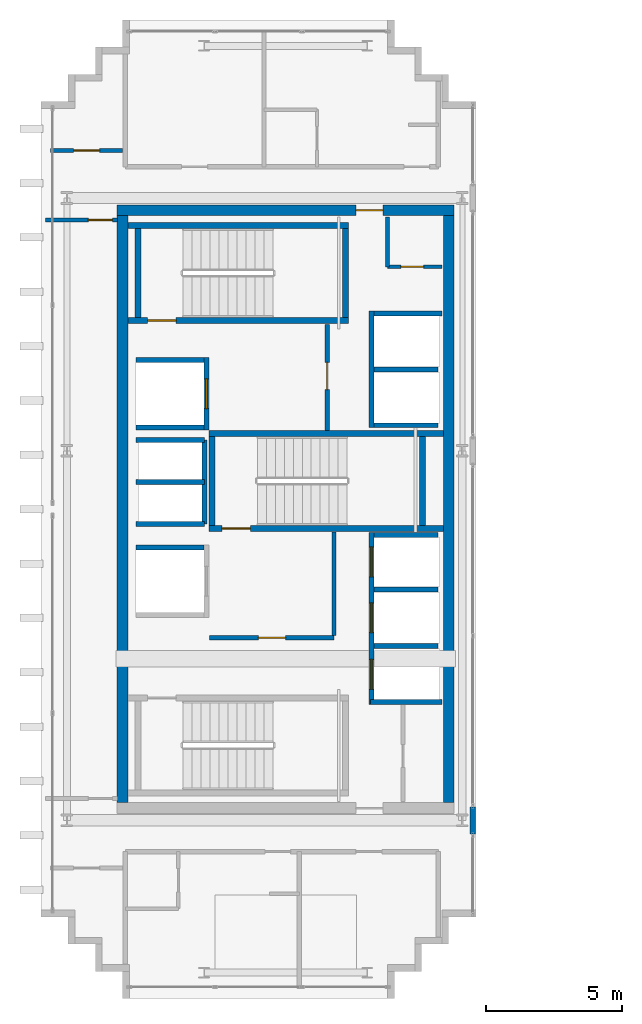
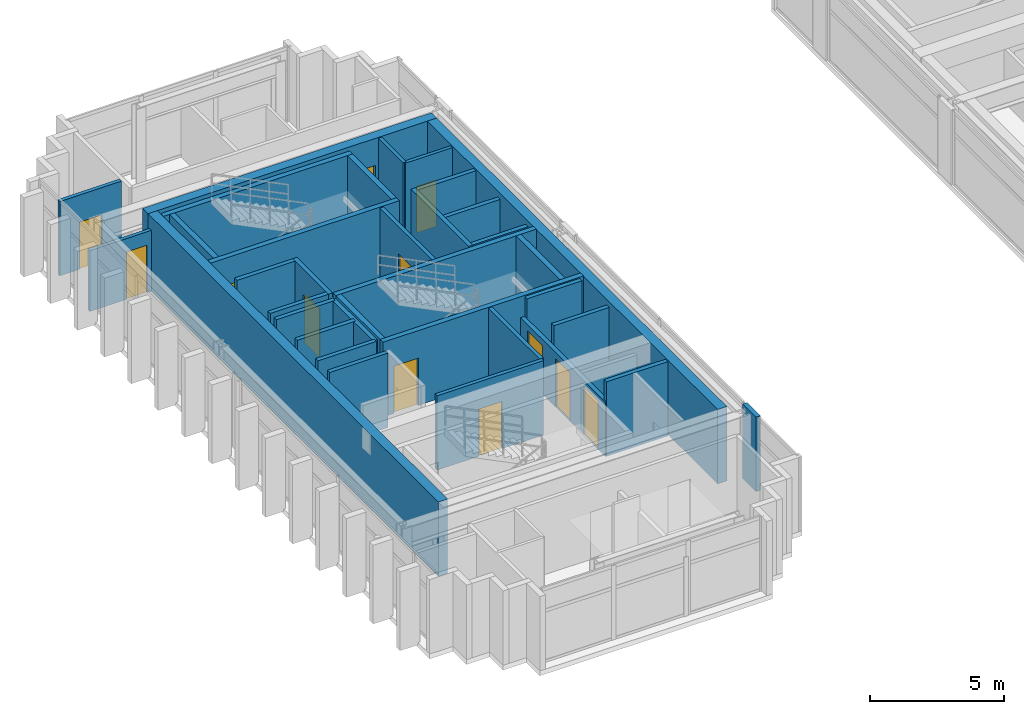
# One storey, part 20 of 25: 36 walls, 12 doors, 12 openings.
"""IFC4 building model written with IfcOpenShell, lengths in metres."""

from ifc_helpers import new_model, si_unit, direction, frame, frame_2d, origin, place, context, subcontext, project, spatial, rectangle, extrude, source, transform, mapped, material, layer, layer_set, type_object, element, fill, save


model = new_model("IFC4")

# Units and contexts
model_context = context("Model", 3, precision=1e-05, world=origin(), true_north=direction((0.0, 1.0)))
body_context = subcontext(model_context, "Body", "Model", "MODEL_VIEW")
ifc_project = project(units=[si_unit("LENGTHUNIT", "METRE"), si_unit("AREAUNIT", "SQUARE_METRE"), si_unit("VOLUMEUNIT", "CUBIC_METRE"), si_unit("PLANEANGLEUNIT", "RADIAN"), si_unit("MASSUNIT", "GRAM", prefix="KILO")], contexts=[model_context])

# Site, building, storey
site_placement = place(None, origin())
site = spatial("IfcSite", under=ifc_project, at=site_placement, CompositionType="ELEMENT")
building_placement = place(site_placement, origin())
building = spatial("IfcBuilding", under=site, at=building_placement, Name="Ocotamira Hotel", CompositionType="ELEMENT")
storey_placement = place(building_placement, frame((0.0, 0.0, 261.60009765625)))
storey = spatial("IfcBuildingStorey", under=building, at=storey_placement, Name="L66", CompositionType="ELEMENT", Elevation=261.60009765625)

# Wall, opening, door
ifc_material_1 = material(Name="Concrete C50/60", Category="concrete")
ifc_layer_1 = layer(ifc_material_1, 0.39990234375)
ifc_layer_set_1 = layer_set([ifc_layer_1], Name="Concrete C50/60")
wall_type_1 = type_object("IfcWallType", Name="WL-CORE-400", PredefinedType="SHEAR", material=ifc_layer_set_1)
wall_1_placement = place(storey_placement, frame((10.800048828125, 37.0, 0.0), z_axis=(0.0, 0.0, 1.0), x_axis=(1.0, 0.0, 0.0)))
wall_1 = element("IfcWall", 1, at=wall_1_placement, inside=storey, type_object=wall_type_1, Name="L66 Shear Core Wall WCORE-N", PredefinedType="SHEAR", context=body_context, shape_type="SweptSolid", body=[
    extrude(rectangle(XDim=12.39990234375, YDim=0.39990234375, at=frame_2d((6.199951171875, 0.0))), origin(), (0.0, 0.0, 1.0), 3.3798828125),
])
opening_1_placement = place(wall_1_placement, frame((8.780029296875, 0.0, 0.0)))
opening_1 = element("IfcOpeningElement", 2, at=opening_1_placement, cuts=wall_1, Name="Opening D-FR2", PredefinedType="OPENING", context=body_context, shape_type="SweptSolid", body=[
    extrude(rectangle(XDim=1.0, YDim=2.14990234375, at=frame_2d((0.5, 1.074951171875))), frame((0.0, 0.2099609375, 0.0), z_axis=(0.0, -1.0, 0.0), x_axis=(1.0, 0.0, 0.0)), (0.0, 0.0, 1.0), 0.419921875),
])
ifc_material_2 = material(Name="Fire-rated acoustic timber-veneer door", Category="wood")
door_type_1 = type_object("IfcDoorType", Name="DR-FIRE-1000", OperationType="NOTDEFINED", PredefinedType="DOOR", material=ifc_material_2)
shared_shape_1 = source(origin(), body_context, "Body", "SweptSolid", [
    extrude(rectangle(XDim=1.0, YDim=2.14990234375, at=frame_2d((0.5, 1.074951171875))), frame((0.0, 0.02490234375, 0.0), z_axis=(0.0, -1.0, 0.0), x_axis=(1.0, 0.0, 0.0)), (0.0, 0.0, 1.0), 0.050048828125),
])
door_1_placement = place(opening_1_placement, origin())
door_1 = element("IfcDoor", 3, at=door_1_placement, inside=storey, type_object=door_type_1, Name="L66 Door ID-L66-WLOB-N-D [ID-L66-WLOB-N-D]", OperationType="SINGLE_SWING_RIGHT", OverallHeight=2.14990234375, OverallWidth=1.0, PredefinedType="DOOR", context=body_context, shape_type="MappedRepresentation", body=[
    mapped(shared_shape_1, transform((0.0, 0.0, 0.0), scale=1.0)),
])
fill(opening_1, door_1)

# Walls
for number, where, z_axis, x_axis, name in (
    (4, (11.0, 15.199951171875, 0.0), (0.0, 0.0, 1.0), (0.0, 1.0, 0.0), "L66 Shear Core Wall WCORE-W"),
    (5, (23.0, 15.199951171875, 0.0), (0.0, 0.0, 1.0), (0.0, 1.0, 0.0), "L66 Shear Core Wall WCORE-E"),
):
    element("IfcWall", number, at=place(storey_placement, frame(where, z_axis=z_axis, x_axis=x_axis)), inside=storey, type_object=wall_type_1, Name=name, PredefinedType="SHEAR", context=body_context, shape_type="SweptSolid", body=[
        extrude(rectangle(XDim=21.60009765625, YDim=0.39990234375, at=frame_2d((10.800048828125, 0.0))), origin(), (0.0, 0.0, 1.0), 3.3798828125),
    ])

# Wall, opening, door
ifc_material_3 = material(Name="Acoustic double-layer fire gypsum board partition", Category="gypsum")
ifc_layer_2 = layer(ifc_material_3, 0.159912109375)
ifc_layer_set_2 = layer_set([ifc_layer_2], Name="Acoustic double-layer fire gypsum board partition")
wall_type_2 = type_object("IfcWallType", Name="WL-FIRE-160", PredefinedType="PARTITIONING", material=ifc_layer_set_2)
wall_2_placement = place(storey_placement, frame((14.199951171875, 21.27001953125, 0.0), z_axis=(0.0, 0.0, 1.0), x_axis=(1.0, 0.0, 0.0)))
wall_2 = element("IfcWall", 6, at=wall_2_placement, inside=storey, type_object=wall_type_2, Name="L66 Interior Wall PW-L66-FSAE1-S", PredefinedType="PARTITIONING", context=body_context, shape_type="SweptSolid", body=[
    extrude(rectangle(XDim=4.580078125, YDim=0.159912109375, at=frame_2d((2.2900390625, 0.0))), origin(), (0.0, 0.0, 1.0), 3.3798828125),
])
opening_2_placement = place(wall_2_placement, frame((1.800048828125, 0.0, 0.0)))
opening_2 = element("IfcOpeningElement", 7, at=opening_2_placement, cuts=wall_2, Name="Opening D-FR2", PredefinedType="OPENING", context=body_context, shape_type="SweptSolid", body=[
    extrude(rectangle(XDim=1.0, YDim=2.14990234375, at=frame_2d((0.5, 1.074951171875))), frame((0.0, 0.08984375, 0.0), z_axis=(0.0, -1.0, 0.0), x_axis=(1.0, 0.0, 0.0)), (0.0, 0.0, 1.0), 0.179931640625),
])
door_2_placement = place(opening_2_placement, origin())
door_2 = element("IfcDoor", 8, at=door_2_placement, inside=storey, type_object=door_type_1, Name="L66 Door ID-L66-FSAE1-D [ID-L66-FSAE1-D]", OperationType="SINGLE_SWING_LEFT", OverallHeight=2.14990234375, OverallWidth=1.0, PredefinedType="DOOR", context=body_context, shape_type="MappedRepresentation", body=[
    mapped(shared_shape_1, transform((0.0, 0.0, 0.0), scale=1.0)),
])
fill(opening_2, door_2)

# Wall
wall_3_placement = place(storey_placement, frame((18.780029296875, 21.35009765625, 0.0), z_axis=(0.0, 0.0, 1.0), x_axis=(0.0, 1.0, 0.0)))
element("IfcWall", 9, at=wall_3_placement, inside=storey, type_object=wall_type_2, Name="L66 Interior Wall PW-L66-FSAE1-E", PredefinedType="PARTITIONING", context=body_context, shape_type="SweptSolid", body=[
    extrude(rectangle(XDim=3.809814453125, YDim=0.159912109375, at=frame_2d((1.90478515625, 0.0))), origin(), (0.0, 0.0, 1.0), 3.3798828125),
])

# Wall, opening, door
wall_4_placement = place(storey_placement, frame((18.530029296875, 28.89990234375, 0.0), z_axis=(0.0, 0.0, 1.0), x_axis=(0.0, 1.0, 0.0)))
wall_4 = element("IfcWall", 10, at=wall_4_placement, inside=storey, type_object=wall_type_2, Name="L66 Interior Wall PW-L66-FSAE2-E", PredefinedType="PARTITIONING", context=body_context, shape_type="SweptSolid", body=[
    extrude(rectangle(XDim=3.900146484375, YDim=0.159912109375, at=frame_2d((1.9501953125, 0.0))), origin(), (0.0, 0.0, 1.0), 3.3798828125),
])
opening_3_placement = place(wall_4_placement, frame((1.5, 0.0, 0.0)))
opening_3 = element("IfcOpeningElement", 11, at=opening_3_placement, cuts=wall_4, Name="Opening D-FR2", PredefinedType="OPENING", context=body_context, shape_type="SweptSolid", body=[
    extrude(rectangle(XDim=1.0, YDim=2.14990234375, at=frame_2d((0.5, 1.074951171875))), frame((0.0, 0.08984375, 0.0), z_axis=(0.0, -1.0, 0.0), x_axis=(1.0, 0.0, 0.0)), (0.0, 0.0, 1.0), 0.179931640625),
])
door_3_placement = place(opening_3_placement, origin())
door_3 = element("IfcDoor", 12, at=door_3_placement, inside=storey, type_object=door_type_1, Name="L66 Door ID-L66-FSAE2-D [ID-L66-FSAE2-D]", OperationType="SINGLE_SWING_RIGHT", OverallHeight=2.14990234375, OverallWidth=1.0, PredefinedType="DOOR", context=body_context, shape_type="MappedRepresentation", body=[
    mapped(shared_shape_1, transform((0.0, 0.0, 0.0), scale=1.0)),
])
fill(opening_3, door_3)

wall_5_placement = place(storey_placement, frame((8.35009765625, 39.199951171875, 0.0), z_axis=(0.0, 0.0, 1.0), x_axis=(1.0, 0.0, 0.0)))
wall_5 = element("IfcWall", 13, at=wall_5_placement, inside=storey, type_object=wall_type_2, Name="L66 Interior Wall PW-L66-SPCNW1-CW", PredefinedType="PARTITIONING", context=body_context, shape_type="SweptSolid", body=[
    extrude(rectangle(XDim=2.64990234375, YDim=0.159912109375, at=frame_2d((1.324951171875, 0.0))), origin(), (0.0, 0.0, 1.0), 3.3798828125),
])
opening_4_placement = place(wall_5_placement, frame((0.844970703125, 0.0, 0.0)))
opening_4 = element("IfcOpeningElement", 14, at=opening_4_placement, cuts=wall_5, Name="Opening D-SV4", PredefinedType="OPENING", context=body_context, shape_type="SweptSolid", body=[
    extrude(rectangle(XDim=0.9599609375, YDim=2.14990234375, at=frame_2d((0.47998046875, 1.074951171875))), frame((0.0, 0.08984375, 0.0), z_axis=(0.0, -1.0, 0.0), x_axis=(1.0, 0.0, 0.0)), (0.0, 0.0, 1.0), 0.179931640625),
])
ifc_material_4 = material(Name="Fire-rated accessible walnut salon door", Category="wood")
door_type_2 = type_object("IfcDoorType", Name="DR-SERV-960", OperationType="NOTDEFINED", PredefinedType="DOOR", material=ifc_material_4)
shared_shape_2 = source(origin(), body_context, "Body", "SweptSolid", [
    extrude(rectangle(XDim=0.9599609375, YDim=2.14990234375, at=frame_2d((0.47998046875, 1.074951171875))), frame((0.0, 0.02490234375, 0.0), z_axis=(0.0, -1.0, 0.0), x_axis=(1.0, 0.0, 0.0)), (0.0, 0.0, 1.0), 0.050048828125),
])
door_4_placement = place(opening_4_placement, origin())
door_4 = element("IfcDoor", 15, at=door_4_placement, inside=storey, type_object=door_type_2, Name="L66 Door ID-L66-SPCNW1-CD [ID-L66-SPCNW1-CD]", OperationType="SINGLE_SWING_LEFT", OverallHeight=2.14990234375, OverallWidth=0.9599609375, PredefinedType="DOOR", context=body_context, shape_type="MappedRepresentation", body=[
    mapped(shared_shape_2, transform((0.0, 0.0, 0.0), scale=1.0)),
])
fill(opening_4, door_4)

# Walls
ifc_material_5 = material(Name="Precast concrete C45/55", Category="concrete")
ifc_layer_3 = layer(ifc_material_5, 0.219970703125)
ifc_layer_set_3 = layer_set([ifc_layer_3], Name="Precast concrete C45/55")
wall_type_3 = type_object("IfcWallType", Name="WL-PARA-220", PredefinedType="PARAPET", material=ifc_layer_set_3)
wall_6_placement = place(storey_placement, frame((23.8798828125, 14.050048828125, 0.0), z_axis=(0.0, 0.0, 1.0), x_axis=(0.0, 1.0, 0.0)))
element("IfcWall", 16, at=wall_6_placement, inside=storey, type_object=wall_type_3, Name="L66 Split-Wing Column Spandrel Closure W1", PredefinedType="PARAPET", context=body_context, shape_type="SweptSolid", body=[
    extrude(rectangle(XDim=1.0, YDim=0.199951171875, at=frame_2d((0.5, 0.0))), origin(), (0.0, 0.0, 1.0), 3.3798828125),
])
ifc_material_6 = material(Name="Acoustic hospitality gypsum board partition", Category="gypsum")
ifc_layer_4 = layer(ifc_material_6, 0.14208984375)
ifc_layer_set_4 = layer_set([ifc_layer_4], Name="Acoustic hospitality gypsum board partition")
wall_type_4 = type_object("IfcWallType", Name="WL-PART-142", PredefinedType="PARTITIONING", material=ifc_layer_set_4)
wall_7_placement = place(storey_placement, frame((20.739990234375, 34.919921875, 0.0), z_axis=(0.0, 0.0, 1.0), x_axis=(0.0, 1.0, 0.0)))
element("IfcWall", 17, at=wall_7_placement, inside=storey, type_object=wall_type_4, Name="L66 Interior Wall PW-L66-WC-NE-W1", PredefinedType="PARTITIONING", context=body_context, shape_type="SweptSolid", body=[
    extrude(rectangle(XDim=1.830078125, YDim=0.14208984375, at=frame_2d((0.9150390625, 0.0))), origin(), (0.0, 0.0, 1.0), 3.3798828125),
])

# Wall, opening, door
wall_8_placement = place(storey_placement, frame((20.739990234375, 34.919921875, 0.0), z_axis=(0.0, 0.0, 1.0), x_axis=(1.0, 0.0, 0.0)))
wall_8 = element("IfcWall", 18, at=wall_8_placement, inside=storey, type_object=wall_type_4, Name="L66 Interior Wall PW-L66-WC-NE-S1", PredefinedType="PARTITIONING", context=body_context, shape_type="SweptSolid", body=[
    extrude(rectangle(XDim=2.010009765625, YDim=0.14208984375, at=frame_2d((1.0048828125, 0.0))), origin(), (0.0, 0.0, 1.0), 3.3798828125),
])
opening_5_placement = place(wall_8_placement, frame((0.5, 0.0, 0.0)))
opening_5 = element("IfcOpeningElement", 19, at=opening_5_placement, cuts=wall_8, Name="Opening D-SV1", PredefinedType="OPENING", context=body_context, shape_type="SweptSolid", body=[
    extrude(rectangle(XDim=0.840087890625, YDim=2.10009765625, at=frame_2d((0.419921875, 1.050048828125))), frame((0.0, 0.0810546875, 0.0), z_axis=(0.0, -1.0, 0.0), x_axis=(1.0, 0.0, 0.0)), (0.0, 0.0, 1.0), 0.162109375),
])
ifc_material_7 = material(Name="Fire-rated painted steel service door", Category="steel")
door_type_3 = type_object("IfcDoorType", Name="DR-SERV-840", OperationType="NOTDEFINED", PredefinedType="DOOR", material=ifc_material_7)
shared_shape_3 = source(origin(), body_context, "Body", "SweptSolid", [
    extrude(rectangle(XDim=0.840087890625, YDim=2.10009765625, at=frame_2d((0.419921875, 1.050048828125))), frame((0.0, 0.02490234375, 0.0), z_axis=(0.0, -1.0, 0.0), x_axis=(1.0, 0.0, 0.0)), (0.0, 0.0, 1.0), 0.050048828125),
])
door_5_placement = place(opening_5_placement, origin())
door_5 = element("IfcDoor", 20, at=door_5_placement, inside=storey, type_object=door_type_3, Name="L66 Door ID-L66-WC-NE-D1 [ID-L66-WC-NE-D1]", OperationType="SINGLE_SWING_LEFT", OverallHeight=2.10009765625, OverallWidth=0.840087890625, PredefinedType="DOOR", context=body_context, shape_type="MappedRepresentation", body=[
    mapped(shared_shape_3, transform((0.0, 0.0, 0.0), scale=1.0)),
])
fill(opening_5, door_5)

ifc_layer_5 = layer(ifc_material_6, 0.14990234375)
ifc_layer_set_5 = layer_set([ifc_layer_5], Name="Acoustic hospitality gypsum board partition")
wall_type_5 = type_object("IfcWallType", Name="WL-PART-150", PredefinedType="PARTITIONING", material=ifc_layer_set_5)
wall_9_placement = place(storey_placement, frame((8.159912109375, 36.639892578125, 0.0), z_axis=(0.0, 0.0, 1.0), x_axis=(1.0, 0.0, 0.0)))
wall_9 = element("IfcWall", 21, at=wall_9_placement, inside=storey, type_object=wall_type_5, Name="L66 Interior Wall PW-L66-SP1W-WN", PredefinedType="PARTITIONING", context=body_context, shape_type="SweptSolid", body=[
    extrude(rectangle(XDim=2.66015625, YDim=0.14990234375, at=frame_2d((1.330078125, 0.0))), origin(), (0.0, 0.0, 1.0), 2.762939453125),
])
opening_6_placement = place(wall_9_placement, frame((1.580078125, 0.0, 0.0)))
opening_6 = element("IfcOpeningElement", 22, at=opening_6_placement, cuts=wall_9, Name="Opening D-SV2", PredefinedType="OPENING", context=body_context, shape_type="SweptSolid", body=[
    extrude(rectangle(XDim=0.8798828125, YDim=2.14990234375, at=frame_2d((0.43994140625, 1.074951171875))), frame((0.0, 0.0849609375, 0.0), z_axis=(0.0, -1.0, 0.0), x_axis=(1.0, 0.0, 0.0)), (0.0, 0.0, 1.0), 0.169921875),
])
door_type_4 = type_object("IfcDoorType", Name="DR-SERV-880", OperationType="NOTDEFINED", PredefinedType="DOOR", material=ifc_material_7)
shared_shape_4 = source(origin(), body_context, "Body", "SweptSolid", [
    extrude(rectangle(XDim=0.8798828125, YDim=2.14990234375, at=frame_2d((0.43994140625, 1.074951171875))), frame((0.0, 0.02490234375, 0.0), z_axis=(0.0, -1.0, 0.0), x_axis=(1.0, 0.0, 0.0)), (0.0, 0.0, 1.0), 0.050048828125),
])
door_6_placement = place(opening_6_placement, origin())
door_6 = element("IfcDoor", 23, at=door_6_placement, inside=storey, type_object=door_type_4, Name="L66 Door ID-L66-SP1W-DN [ID-L66-SP1W-DN]", OperationType="SINGLE_SWING_RIGHT", OverallHeight=2.14990234375, OverallWidth=0.8798828125, PredefinedType="DOOR", context=body_context, shape_type="MappedRepresentation", body=[
    mapped(shared_shape_4, transform((0.0, 0.0, 0.0), scale=1.0)),
])
fill(opening_6, door_6)

# Wall, openings, doors
ifc_material_8 = material(Name="Fire-rated gypsum shaftliner board assembly", Category="gypsum")
ifc_layer_6 = layer(ifc_material_8, 0.179931640625)
ifc_layer_set_6 = layer_set([ifc_layer_6], Name="Fire-rated gypsum shaftliner board assembly")
wall_type_6 = type_object("IfcWallType", Name="WL-SHAFT-180", PredefinedType="SOLIDWALL", material=ifc_layer_set_6)
wall_10_placement = place(storey_placement, frame((20.159912109375, 18.820068359375, 0.0), z_axis=(0.0, 0.0, 1.0), x_axis=(0.0, 1.0, 0.0)))
wall_10 = element("IfcWall", 24, at=wall_10_placement, inside=storey, type_object=wall_type_6, Name="L66 Interior Wall PW-L66-LFW-BANK-high-F", PredefinedType="SOLIDWALL", context=body_context, shape_type="SweptSolid", body=[
    extrude(rectangle(XDim=6.31982421875, YDim=0.179931640625, at=frame_2d((3.159912109375, 0.0))), origin(), (0.0, 0.0, 1.0), 2.47998046875),
])
opening_7_placement = place(wall_10_placement, frame((0.554931640625, 0.0, 0.0)))
opening_7 = element("IfcOpeningElement", 25, at=opening_7_placement, cuts=wall_10, Name="Opening LD-LF-P7", PredefinedType="OPENING", context=body_context, shape_type="SweptSolid", body=[
    extrude(rectangle(XDim=1.10009765625, YDim=2.199951171875, at=frame_2d((0.550048828125, 1.10009765625))), frame((0.0, 0.10009765625, 0.0), z_axis=(0.0, -1.0, 0.0), x_axis=(1.0, 0.0, 0.0)), (0.0, 0.0, 1.0), 0.199951171875),
])
opening_8_placement = place(wall_10_placement, frame((2.635009765625, 0.0, 0.0)))
opening_8 = element("IfcOpeningElement", 26, at=opening_8_placement, cuts=wall_10, Name="Opening LD-LF-P8", PredefinedType="OPENING", context=body_context, shape_type="SweptSolid", body=[
    extrude(rectangle(XDim=1.10009765625, YDim=2.199951171875, at=frame_2d((0.550048828125, 1.10009765625))), frame((0.0, 0.10009765625, 0.0), z_axis=(0.0, -1.0, 0.0), x_axis=(1.0, 0.0, 0.0)), (0.0, 0.0, 1.0), 0.199951171875),
])
opening_9_placement = place(wall_10_placement, frame((4.68994140625, 0.0, 0.0)))
opening_9 = element("IfcOpeningElement", 27, at=opening_9_placement, cuts=wall_10, Name="Opening LD-LF-P9", PredefinedType="OPENING", context=body_context, shape_type="SweptSolid", body=[
    extrude(rectangle(XDim=1.10009765625, YDim=2.199951171875, at=frame_2d((0.550048828125, 1.10009765625))), frame((0.0, 0.10009765625, 0.0), z_axis=(0.0, -1.0, 0.0), x_axis=(1.0, 0.0, 0.0)), (0.0, 0.0, 1.0), 0.199951171875),
])
ifc_material_9 = material(Name="Brushed pale-metal stainless elevator landing door", Category="steel")
door_type_5 = type_object("IfcDoorType", Name="DR-LIFT-1100", OperationType="NOTDEFINED", PredefinedType="DOOR", material=ifc_material_9)
shared_shape_5 = source(origin(), body_context, "Body", "SweptSolid", [
    extrude(rectangle(XDim=1.10009765625, YDim=2.199951171875, at=frame_2d((0.550048828125, 1.10009765625))), frame((0.0, 0.02490234375, 0.0), z_axis=(0.0, -1.0, 0.0), x_axis=(1.0, 0.0, 0.0)), (0.0, 0.0, 1.0), 0.050048828125),
])
door_7_placement = place(opening_7_placement, origin())
door_7 = element("IfcDoor", 28, at=door_7_placement, inside=storey, type_object=door_type_5, Name="L66 Landing Door LD-LF-P7 [ID-L66-LD-LF-P7]", OperationType="DOUBLE_DOOR_SLIDING", OverallHeight=2.199951171875, OverallWidth=1.10009765625, PredefinedType="DOOR", context=body_context, shape_type="MappedRepresentation", body=[
    mapped(shared_shape_5, transform((0.0, 0.0, 0.0), scale=1.0)),
])
fill(opening_7, door_7)
door_8_placement = place(opening_8_placement, origin())
door_8 = element("IfcDoor", 29, at=door_8_placement, inside=storey, type_object=door_type_5, Name="L66 Landing Door LD-LF-P8 [ID-L66-LD-LF-P8]", OperationType="DOUBLE_DOOR_SLIDING", OverallHeight=2.199951171875, OverallWidth=1.10009765625, PredefinedType="DOOR", context=body_context, shape_type="MappedRepresentation", body=[
    mapped(shared_shape_5, transform((0.0, 0.0, 0.0), scale=1.0)),
])
fill(opening_8, door_8)
door_9_placement = place(opening_9_placement, origin())
door_9 = element("IfcDoor", 30, at=door_9_placement, inside=storey, type_object=door_type_5, Name="L66 Landing Door LD-LF-P9 [ID-L66-LD-LF-P9]", OperationType="DOUBLE_DOOR_SLIDING", OverallHeight=2.199951171875, OverallWidth=1.10009765625, PredefinedType="DOOR", context=body_context, shape_type="MappedRepresentation", body=[
    mapped(shared_shape_5, transform((0.0, 0.0, 0.0), scale=1.0)),
])
fill(opening_9, door_9)

# Walls
wall_11_placement = place(storey_placement, frame((20.1201171875, 18.909912109375, 0.0), z_axis=(0.0, 0.0, 1.0), x_axis=(1.0, 0.0, 0.0)))
element("IfcWall", 31, at=wall_11_placement, inside=storey, type_object=wall_type_6, Name="L66 Interior Wall PW-L66-LFW-BANK-high-S", PredefinedType="SOLIDWALL", context=body_context, shape_type="SweptSolid", body=[
    extrude(rectangle(XDim=2.6298828125, YDim=0.179931640625, at=frame_2d((1.31494140625, 0.0))), origin(), (0.0, 0.0, 1.0), 3.3798828125),
])
wall_12_placement = place(storey_placement, frame((20.25, 25.050048828125, 0.0), z_axis=(0.0, 0.0, 1.0), x_axis=(1.0, 0.0, 0.0)))
element("IfcWall", 32, at=wall_12_placement, inside=storey, type_object=wall_type_6, Name="L66 Interior Wall PW-L66-LFW-BANK-high-N", PredefinedType="SOLIDWALL", context=body_context, shape_type="SweptSolid", body=[
    extrude(rectangle(XDim=2.360107421875, YDim=0.179931640625, at=frame_2d((1.18017578125, 0.0))), origin(), (0.0, 0.0, 1.0), 3.3798828125),
])
wall_13_placement = place(storey_placement, frame((20.25, 20.965087890625, 0.0), z_axis=(0.0, 0.0, 1.0), x_axis=(1.0, 0.0, 0.0)))
element("IfcWall", 33, at=wall_13_placement, inside=storey, type_object=wall_type_6, Name="L66 Interior Wall PW-L66-LFW-DIV-LF-P7", PredefinedType="SOLIDWALL", context=body_context, shape_type="SweptSolid", body=[
    extrude(rectangle(XDim=2.360107421875, YDim=0.179931640625, at=frame_2d((1.18017578125, 0.0))), origin(), (0.0, 0.0, 1.0), 2.47998046875),
])
wall_14_placement = place(storey_placement, frame((20.25, 23.044921875, 0.0), z_axis=(0.0, 0.0, 1.0), x_axis=(1.0, 0.0, 0.0)))
element("IfcWall", 34, at=wall_14_placement, inside=storey, type_object=wall_type_6, Name="L66 Interior Wall PW-L66-LFW-DIV-LF-P8", PredefinedType="SOLIDWALL", context=body_context, shape_type="SweptSolid", body=[
    extrude(rectangle(XDim=2.360107421875, YDim=0.179931640625, at=frame_2d((1.18017578125, 0.0))), origin(), (0.0, 0.0, 1.0), 3.3798828125),
])
wall_15_placement = place(storey_placement, frame((20.159912109375, 29.0, 0.0), z_axis=(0.0, 0.0, 1.0), x_axis=(0.0, 1.0, 0.0)))
element("IfcWall", 35, at=wall_15_placement, inside=storey, type_object=wall_type_6, Name="L66 Interior Wall PW-L66-LFW-BANK-obs-F", PredefinedType="SOLIDWALL", context=body_context, shape_type="SweptSolid", body=[
    extrude(rectangle(XDim=4.2900390625, YDim=0.179931640625, at=frame_2d((2.14501953125, 0.0))), origin(), (0.0, 0.0, 1.0), 3.3798828125),
])
wall_16_placement = place(storey_placement, frame((20.25, 29.090087890625, 0.0), z_axis=(0.0, 0.0, 1.0), x_axis=(1.0, 0.0, 0.0)))
element("IfcWall", 36, at=wall_16_placement, inside=storey, type_object=wall_type_6, Name="L66 Interior Wall PW-L66-LFW-BANK-obs-S", PredefinedType="SOLIDWALL", context=body_context, shape_type="SweptSolid", body=[
    extrude(rectangle(XDim=2.360107421875, YDim=0.179931640625, at=frame_2d((1.18017578125, 0.0))), origin(), (0.0, 0.0, 1.0), 3.3798828125),
])
wall_17_placement = place(storey_placement, frame((20.25, 33.199951171875, 0.0), z_axis=(0.0, 0.0, 1.0), x_axis=(1.0, 0.0, 0.0)))
element("IfcWall", 37, at=wall_17_placement, inside=storey, type_object=wall_type_6, Name="L66 Interior Wall PW-L66-LFW-BANK-obs-N", PredefinedType="SOLIDWALL", context=body_context, shape_type="SweptSolid", body=[
    extrude(rectangle(XDim=2.5, YDim=0.179931640625, at=frame_2d((1.25, 0.0))), origin(), (0.0, 0.0, 1.0), 3.3798828125),
])
wall_18_placement = place(storey_placement, frame((20.25, 31.14501953125, 0.0), z_axis=(0.0, 0.0, 1.0), x_axis=(1.0, 0.0, 0.0)))
element("IfcWall", 38, at=wall_18_placement, inside=storey, type_object=wall_type_6, Name="L66 Interior Wall PW-L66-LFW-DIV-LF-OBS1", PredefinedType="SOLIDWALL", context=body_context, shape_type="SweptSolid", body=[
    extrude(rectangle(XDim=2.360107421875, YDim=0.179931640625, at=frame_2d((1.18017578125, 0.0))), origin(), (0.0, 0.0, 1.0), 3.3798828125),
])
for number, where, z_axis, x_axis, name in (
    (39, (11.5, 24.590087890625, 0.0), (0.0, 0.0, 1.0), (1.0, 0.0, 0.0), "L66 Interior Wall PW-L66-LFW-LF-FSAE1-N"),
    (40, (11.5, 29.010009765625, 0.0), (0.0, 0.0, 1.0), (1.0, 0.0, 0.0), "L66 Interior Wall PW-L66-LFW-LF-FSAE2-S"),
    (41, (11.5, 31.489990234375, 0.0), (0.0, 0.0, 1.0), (1.0, 0.0, 0.0), "L66 Interior Wall PW-L66-LFW-LF-FSAE2-N"),
):
    element("IfcWall", number, at=place(storey_placement, frame(where, z_axis=z_axis, x_axis=x_axis)), inside=storey, type_object=wall_type_6, Name=name, PredefinedType="SOLIDWALL", context=body_context, shape_type="SweptSolid", body=[
        extrude(rectangle(XDim=2.5, YDim=0.179931640625, at=frame_2d((1.25, 0.0))), origin(), (0.0, 0.0, 1.0), 3.3798828125),
    ])

# Wall, opening, door
wall_19_placement = place(storey_placement, frame((14.090087890625, 28.919921875, 0.0), z_axis=(0.0, 0.0, 1.0), x_axis=(0.0, 1.0, 0.0)))
wall_19 = element("IfcWall", 42, at=wall_19_placement, inside=storey, type_object=wall_type_6, Name="L66 Interior Wall PW-L66-LFW-LF-FSAE2-E", PredefinedType="SOLIDWALL", context=body_context, shape_type="SweptSolid", body=[
    extrude(rectangle(XDim=2.66015625, YDim=0.179931640625, at=frame_2d((1.330078125, 0.0))), origin(), (0.0, 0.0, 1.0), 3.3798828125),
])
opening_10_placement = place(wall_19_placement, frame((0.780029296875, 0.0, 0.0)))
opening_10 = element("IfcOpeningElement", 43, at=opening_10_placement, cuts=wall_19, Name="Opening LD-LF-FSAE2", PredefinedType="OPENING", context=body_context, shape_type="SweptSolid", body=[
    extrude(rectangle(XDim=1.10009765625, YDim=2.199951171875, at=frame_2d((0.550048828125, 1.10009765625))), frame((0.0, 0.10009765625, 0.0), z_axis=(0.0, -1.0, 0.0), x_axis=(1.0, 0.0, 0.0)), (0.0, 0.0, 1.0), 0.199951171875),
])
door_10_placement = place(opening_10_placement, origin())
door_10 = element("IfcDoor", 44, at=door_10_placement, inside=storey, type_object=door_type_5, Name="L66 Landing Door LD-LF-FSAE2 [ID-L66-LD-LF-FSAE2]", OperationType="DOUBLE_DOOR_SLIDING", OverallHeight=2.199951171875, OverallWidth=1.10009765625, PredefinedType="DOOR", context=body_context, shape_type="MappedRepresentation", body=[
    mapped(shared_shape_5, transform((0.0, 0.0, 0.0), scale=1.0)),
])
fill(opening_10, door_10)

# Walls
for number, where, z_axis, x_axis, name in (
    (45, (11.5, 25.4599609375, 0.0), (0.0, 0.0, 1.0), (1.0, 0.0, 0.0), "L66 Interior Wall PW-L66-RSW-S"),
    (46, (11.5, 27.0, 0.0), (0.0, 0.0, 1.0), (1.0, 0.0, 0.0), "L66 Interior Wall PW-L66-RSW-MID"),
    (47, (11.5, 28.5400390625, 0.0), (0.0, 0.0, 1.0), (1.0, 0.0, 0.0), "L66 Interior Wall PW-L66-RSW-N"),
):
    element("IfcWall", number, at=place(storey_placement, frame(where, z_axis=z_axis, x_axis=x_axis)), inside=storey, type_object=wall_type_6, Name=name, PredefinedType="SOLIDWALL", context=body_context, shape_type="SweptSolid", body=[
        extrude(rectangle(XDim=2.510009765625, YDim=0.179931640625, at=frame_2d((1.2548828125, 0.0))), origin(), (0.0, 0.0, 1.0), 3.3798828125),
    ])
wall_20_placement = place(storey_placement, frame((14.010009765625, 25.4599609375, 0.0), z_axis=(0.0, 0.0, 1.0), x_axis=(0.0, 1.0, 0.0)))
element("IfcWall", 48, at=wall_20_placement, inside=storey, type_object=wall_type_6, Name="L66 Interior Wall PW-L66-RSW-E", PredefinedType="SOLIDWALL", context=body_context, shape_type="SweptSolid", body=[
    extrude(rectangle(XDim=3.080078125, YDim=0.179931640625, at=frame_2d((1.5400390625, 0.0))), origin(), (0.0, 0.0, 1.0), 3.3798828125),
])

# Wall, opening, door
ifc_layer_7 = layer(ifc_material_1, 0.219970703125)
ifc_layer_set_7 = layer_set([ifc_layer_7], Name="Concrete C50/60")
wall_type_7 = type_object("IfcWallType", Name="WL-STAIR-220", PredefinedType="SHEAR", material=ifc_layer_set_7)
wall_21_placement = place(storey_placement, frame((11.199951171875, 32.93994140625, 0.0), z_axis=(0.0, 0.0, 1.0), x_axis=(1.0, 0.0, 0.0)))
wall_21 = element("IfcWall", 49, at=wall_21_placement, inside=storey, type_object=wall_type_7, Name="L66 Stair Shaft Structural Wall ST-2-S", PredefinedType="SHEAR", context=body_context, shape_type="SweptSolid", body=[
    extrude(rectangle(XDim=8.110107421875, YDim=0.219970703125, at=frame_2d((4.05517578125, 0.0))), origin(), (0.0, 0.0, 1.0), 3.39990234375),
])
opening_11_placement = place(wall_21_placement, frame((0.719970703125, 0.0, 0.0)))
opening_11 = element("IfcOpeningElement", 50, at=opening_11_placement, cuts=wall_21, Name="Opening D-ST2", PredefinedType="OPENING", context=body_context, shape_type="SweptSolid", body=[
    extrude(rectangle(XDim=1.050048828125, YDim=2.14990234375, at=frame_2d((0.52490234375, 1.074951171875))), frame((0.0, 0.1201171875, 0.0), z_axis=(0.0, -1.0, 0.0), x_axis=(1.0, 0.0, 0.0)), (0.0, 0.0, 1.0), 0.239990234375),
])
ifc_material_10 = material(Name="Insulated painted hollow-metal fire exit door", Category="steel")
door_type_6 = type_object("IfcDoorType", Name="DR-STAIR-1050", OperationType="NOTDEFINED", PredefinedType="DOOR", material=ifc_material_10)
shared_shape_6 = source(origin(), body_context, "Body", "SweptSolid", [
    extrude(rectangle(XDim=1.050048828125, YDim=2.14990234375, at=frame_2d((0.52490234375, 1.074951171875))), frame((0.0, 0.02490234375, 0.0), z_axis=(0.0, -1.0, 0.0), x_axis=(1.0, 0.0, 0.0)), (0.0, 0.0, 1.0), 0.050048828125),
])
door_11_placement = place(opening_11_placement, origin())
door_11 = element("IfcDoor", 51, at=door_11_placement, inside=storey, type_object=door_type_6, Name="L66 Door ID-L66-STD-ST-2 [ID-L66-STD-ST-2]", OperationType="SINGLE_SWING_RIGHT", OverallHeight=2.14990234375, OverallWidth=1.050048828125, PredefinedType="DOOR", context=body_context, shape_type="MappedRepresentation", body=[
    mapped(shared_shape_6, transform((0.0, 0.0, 0.0), scale=1.0)),
])
fill(opening_11, door_11)

# Walls
wall_22_placement = place(storey_placement, frame((11.199951171875, 36.43994140625, 0.0), z_axis=(0.0, 0.0, 1.0), x_axis=(1.0, 0.0, 0.0)))
element("IfcWall", 52, at=wall_22_placement, inside=storey, type_object=wall_type_7, Name="L66 Stair Shaft Structural Wall ST-2-N", PredefinedType="SHEAR", context=body_context, shape_type="SweptSolid", body=[
    extrude(rectangle(XDim=8.110107421875, YDim=0.219970703125, at=frame_2d((4.05517578125, 0.0))), origin(), (0.0, 0.0, 1.0), 3.39990234375),
])
for number, where, z_axis, x_axis, name in (
    (53, (11.56005859375, 33.050048828125, 0.0), (0.0, 0.0, 1.0), (0.0, 1.0, 0.0), "L66 Stair Shaft Structural Wall ST-2-W"),
    (54, (19.199951171875, 33.050048828125, 0.0), (0.0, 0.0, 1.0), (0.0, 1.0, 0.0), "L66 Stair Shaft Structural Wall ST-2-E"),
):
    element("IfcWall", number, at=place(storey_placement, frame(where, z_axis=z_axis, x_axis=x_axis)), inside=storey, type_object=wall_type_7, Name=name, PredefinedType="SHEAR", context=body_context, shape_type="SweptSolid", body=[
        extrude(rectangle(XDim=3.280029296875, YDim=0.219970703125, at=frame_2d((1.64013671875, 0.0))), origin(), (0.0, 0.0, 1.0), 3.39990234375),
    ])

# Wall, opening, door
wall_23_placement = place(storey_placement, frame((14.179931640625, 25.2900390625, 0.0), z_axis=(0.0, 0.0, 1.0), x_axis=(1.0, 0.0, 0.0)))
wall_23 = element("IfcWall", 55, at=wall_23_placement, inside=storey, type_object=wall_type_7, Name="L66 Stair Shaft Structural Wall ST-3-S", PredefinedType="SHEAR", context=body_context, shape_type="SweptSolid", body=[
    extrude(rectangle(XDim=8.6201171875, YDim=0.219970703125, at=frame_2d((4.31005859375, 0.0))), origin(), (0.0, 0.0, 1.0), 3.39990234375),
])
opening_12_placement = place(wall_23_placement, frame((0.469970703125, 0.0, 0.0)))
opening_12 = element("IfcOpeningElement", 56, at=opening_12_placement, cuts=wall_23, Name="Opening D-ST2", PredefinedType="OPENING", context=body_context, shape_type="SweptSolid", body=[
    extrude(rectangle(XDim=1.050048828125, YDim=2.14990234375, at=frame_2d((0.52490234375, 1.074951171875))), frame((0.0, 0.1201171875, 0.0), z_axis=(0.0, -1.0, 0.0), x_axis=(1.0, 0.0, 0.0)), (0.0, 0.0, 1.0), 0.239990234375),
])
door_12_placement = place(opening_12_placement, origin())
door_12 = element("IfcDoor", 57, at=door_12_placement, inside=storey, type_object=door_type_6, Name="L66 Door ID-L66-STD-ST-3 [ID-L66-STD-ST-3]", OperationType="SINGLE_SWING_LEFT", OverallHeight=2.14990234375, OverallWidth=1.050048828125, PredefinedType="DOOR", context=body_context, shape_type="MappedRepresentation", body=[
    mapped(shared_shape_6, transform((0.0, 0.0, 0.0), scale=1.0)),
])
fill(opening_12, door_12)

# Walls
wall_24_placement = place(storey_placement, frame((14.179931640625, 28.7900390625, 0.0), z_axis=(0.0, 0.0, 1.0), x_axis=(1.0, 0.0, 0.0)))
element("IfcWall", 58, at=wall_24_placement, inside=storey, type_object=wall_type_7, Name="L66 Stair Shaft Structural Wall ST-3-N", PredefinedType="SHEAR", context=body_context, shape_type="SweptSolid", body=[
    extrude(rectangle(XDim=8.6201171875, YDim=0.219970703125, at=frame_2d((4.31005859375, 0.0))), origin(), (0.0, 0.0, 1.0), 3.39990234375),
])
for number, where, z_axis, x_axis, name in (
    (59, (14.2900390625, 25.39990234375, 0.0), (0.0, 0.0, 1.0), (0.0, 1.0, 0.0), "L66 Stair Shaft Structural Wall ST-3-W"),
    (60, (22.030029296875, 25.39990234375, 0.0), (0.0, 0.0, 1.0), (0.0, 1.0, 0.0), "L66 Stair Shaft Structural Wall ST-3-E"),
):
    element("IfcWall", number, at=place(storey_placement, frame(where, z_axis=z_axis, x_axis=x_axis)), inside=storey, type_object=wall_type_7, Name=name, PredefinedType="SHEAR", context=body_context, shape_type="SweptSolid", body=[
        extrude(rectangle(XDim=3.280029296875, YDim=0.219970703125, at=frame_2d((1.64013671875, 0.0))), origin(), (0.0, 0.0, 1.0), 3.39990234375),
    ])

save(model, "model.ifc")
